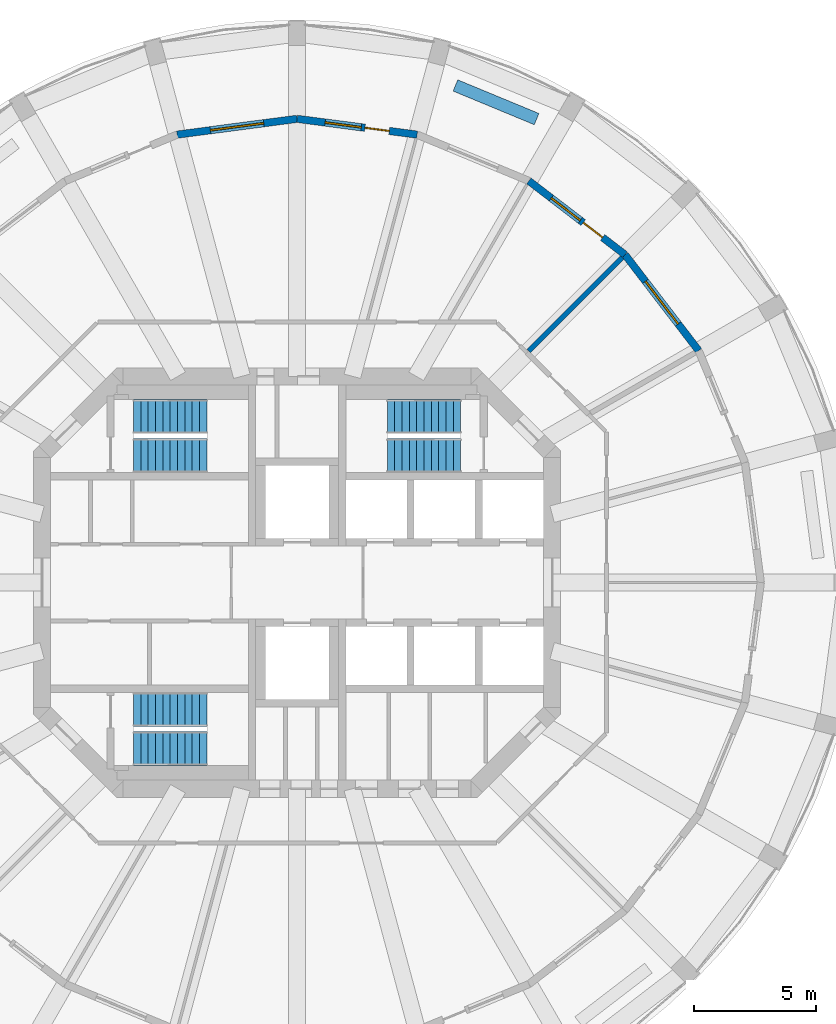
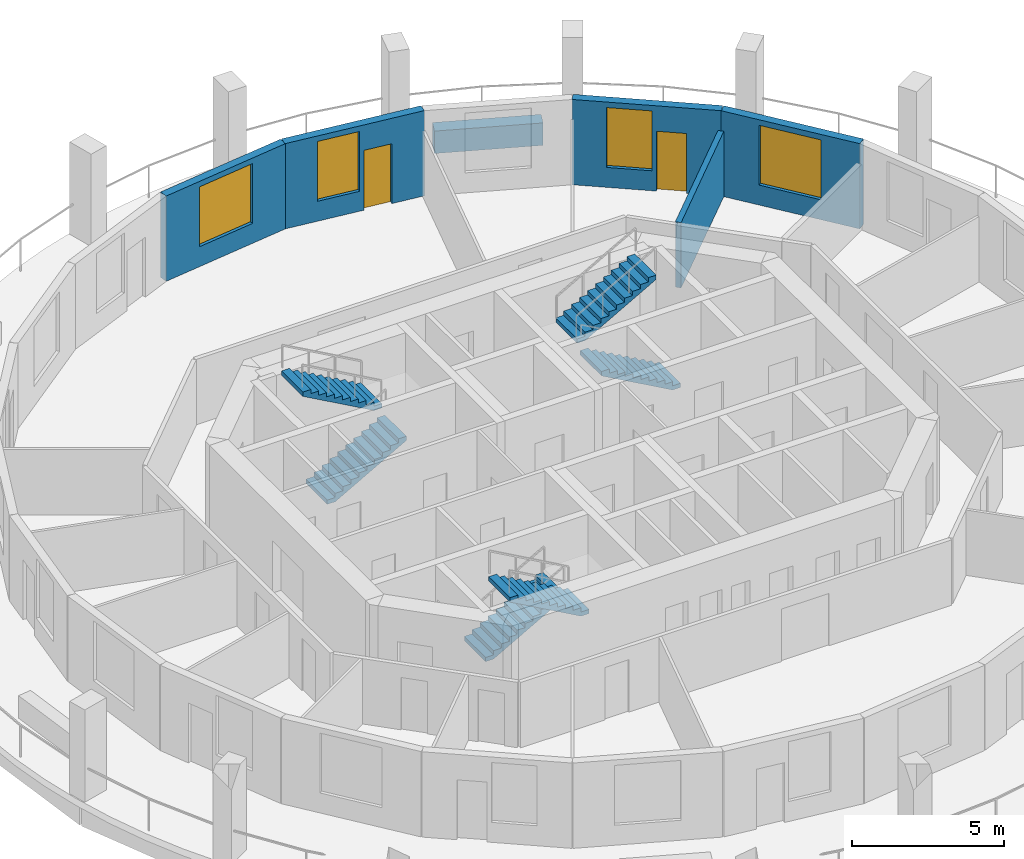
# One storey, part 7 of 9: 6 stair flights, 6 walls, 4 windows, 2 doors, 6 openings, 3 elements without a shape of their own.
"""IFC4 building model written with IfcOpenShell, lengths in metres."""

from ifc_helpers import new_model, si_unit, direction, frame, frame_2d, origin, place, context, subcontext, project, spatial, polyline, rectangle, outline, extrude, material, layer, layer_set, type_object, element, fill, aggregate, save


model = new_model("IFC4")

# Units and contexts
model_context = context("Model", 3, precision=1e-05, world=origin(), true_north=direction((0.0, 1.0)))
body_context = subcontext(model_context, "Body", "Model", "MODEL_VIEW")
ifc_project = project(units=[si_unit("LENGTHUNIT", "METRE"), si_unit("AREAUNIT", "SQUARE_METRE"), si_unit("VOLUMEUNIT", "CUBIC_METRE"), si_unit("PLANEANGLEUNIT", "RADIAN"), si_unit("MASSUNIT", "GRAM", prefix="KILO")], contexts=[model_context])

# Site, building, storey
site_placement = place(None, origin())
site = spatial("IfcSite", under=ifc_project, at=site_placement, CompositionType="ELEMENT")
building_placement = place(site_placement, origin())
building = spatial("IfcBuilding", under=site, at=building_placement, Name="Torre Triforio", CompositionType="ELEMENT")
storey_placement = place(building_placement, frame((0.0, 0.0, 169.0)))
storey = spatial("IfcBuildingStorey", under=building, at=storey_placement, Name="L38", CompositionType="ELEMENT", Elevation=169.0)

# Walls
ifc_material_1 = material(Name="Masonry block", Category="masonry")
ifc_layer_1 = layer(ifc_material_1, 0.199951171875)
ifc_layer_set_1 = layer_set([ifc_layer_1], Name="Masonry block")
wall_type_1 = type_object("IfcWallType", Name="Plant room wall 200 mm block EI 120", PredefinedType="PARTITIONING", material=ifc_layer_set_1)
wall_1_placement = place(storey_placement, frame((9.491455078125, 9.491455078125, 0.0), z_axis=(0.0, 0.0, 1.0), x_axis=(0.707106781187, 0.707106781187, 0.0)))
element("IfcWall", 1, at=wall_1_placement, inside=storey, type_object=wall_type_1, Name="Partition 14", PredefinedType="PARTITIONING", context=body_context, shape_type="SweptSolid", body=[
    extrude(rectangle(XDim=5.413818359375, YDim=0.199951171875, at=frame_2d((2.70703125, 0.0))), origin(), (0.0, 0.0, 1.0), 2.6201171875),
])
ifc_material_2 = material(Name="Limestone cladding", Category="masonry")
ifc_layer_2 = layer(ifc_material_2, 0.10009765625)
ifc_material_3 = material(Name="Concrete C40", Category="concrete")
ifc_layer_3 = layer(ifc_material_3, 0.39990234375)
ifc_layer_set_2 = layer_set([ifc_layer_2, ifc_layer_3], Name="Limestone cladding / Concrete C40")
wall_type_2 = type_object("IfcWallType", Name="Planter wall 500", PredefinedType="PARAPET", material=ifc_layer_set_2)
wall_2_placement = place(storey_placement, frame((9.814208984375, 18.98974609375, 0.0), z_axis=(0.0, 0.0, 1.0), x_axis=(-0.923875488976, 0.382693194178, 0.0)))
element("IfcWall", 2, at=wall_2_placement, inside=storey, type_object=wall_type_2, Name="Planter L38 bay 05", PredefinedType="PARAPET", context=body_context, shape_type="SweptSolid", body=[
    extrude(rectangle(XDim=3.599853515625, YDim=0.5, at=frame_2d((1.7998046875, 0.0))), origin(), (0.0, 0.0, 1.0), 0.89990234375),
])

# Wall, opening, window
ifc_layer_4 = layer(ifc_material_2, 0.10009765625)
ifc_layer_5 = layer(ifc_material_3, 0.199951171875)
ifc_layer_set_3 = layer_set([ifc_layer_4, ifc_layer_5], Name="Limestone cladding / Concrete C40")
wall_type_3 = type_object("IfcWallType", Name="Stone-faced composite wall 300", PredefinedType="STANDARD", material=ifc_layer_set_3)
wall_3_placement = place(storey_placement, frame((16.45458984375, 9.5, 0.0), z_axis=(0.0, 0.0, 1.0), x_axis=(-0.608768356425, 0.793348024649, 0.0)))
wall_3 = element("IfcWall", 3, at=wall_3_placement, inside=storey, type_object=wall_type_3, Name="External wall L38 bay 03", PredefinedType="STANDARD", context=body_context, shape_type="SweptSolid", body=[
    extrude(rectangle(XDim=4.9599609375, YDim=0.300048828125, at=frame_2d((2.47998046875, 0.0))), origin(), (0.0, 0.0, 1.0), 3.419921875),
])
opening_1_placement = place(wall_3_placement, frame((1.3798828125, 0.0, 0.800048828125)))
opening_1 = element("IfcOpeningElement", 4, at=opening_1_placement, cuts=wall_3, Name="Opening O2-W03", PredefinedType="OPENING", context=body_context, shape_type="SweptSolid", body=[
    extrude(rectangle(XDim=2.199951171875, YDim=2.39990234375, at=frame_2d((1.10009765625, 1.199951171875))), frame((0.0, 0.159912109375, 0.0), z_axis=(0.0, -1.0, 0.0), x_axis=(1.0, 0.0, 0.0)), (0.0, 0.0, 1.0), 0.320068359375),
])
ifc_material_4 = material(Name="Aluminium frame with clear double glazing", Category="aluminium")
window_type_1 = type_object("IfcWindowType", Name="Punched window 2200 x 2400", PartitioningType="DOUBLE_PANEL_VERTICAL", PredefinedType="WINDOW", material=ifc_material_4)
window_1_placement = place(opening_1_placement, origin())
window_1 = element("IfcWindow", 5, at=window_1_placement, inside=storey, type_object=window_type_1, Name="Window EWN5 L38 bay 03", OverallHeight=2.39990234375, OverallWidth=2.199951171875, PartitioningType="SINGLE_PANEL", PredefinedType="WINDOW", context=body_context, shape_type="SweptSolid", body=[
    extrude(rectangle(XDim=2.199951171875, YDim=2.39990234375, at=frame_2d((1.10009765625, 1.199951171875))), frame((0.0, 0.030029296875, 0.0), z_axis=(0.0, -1.0, 0.0), x_axis=(1.0, 0.0, 0.0)), (0.0, 0.0, 1.0), 0.06005859375),
])
fill(opening_1, window_1)

# Wall, openings, door, window
wall_4_placement = place(storey_placement, frame((13.43505859375, 13.43505859375, 0.0), z_axis=(0.0, 0.0, 1.0), x_axis=(-0.793348024649, 0.608768356425, 0.0)))
wall_4 = element("IfcWall", 6, at=wall_4_placement, inside=storey, type_object=wall_type_3, Name="External wall L38 bay 04", PredefinedType="STANDARD", context=body_context, shape_type="SweptSolid", body=[
    extrude(rectangle(XDim=4.9599609375, YDim=0.300048828125, at=frame_2d((2.47998046875, 0.0))), origin(), (0.0, 0.0, 1.0), 3.419921875),
])
opening_2_placement = place(wall_4_placement, frame((1.155029296875, 0.0, 0.0)))
opening_2 = element("IfcOpeningElement", 7, at=opening_2_placement, cuts=wall_4, Name="Opening O2-D04", PredefinedType="OPENING", context=body_context, shape_type="SweptSolid", body=[
    extrude(rectangle(XDim=1.0, YDim=2.39990234375, at=frame_2d((0.5, 1.199951171875))), frame((0.0, 0.159912109375, 0.0), z_axis=(0.0, -1.0, 0.0), x_axis=(1.0, 0.0, 0.0)), (0.0, 0.0, 1.0), 0.320068359375),
])
opening_3_placement = place(wall_4_placement, frame((2.304931640625, 0.0, 0.800048828125)))
opening_3 = element("IfcOpeningElement", 8, at=opening_3_placement, cuts=wall_4, Name="Opening O2-W04A", PredefinedType="OPENING", context=body_context, shape_type="SweptSolid", body=[
    extrude(rectangle(XDim=1.5, YDim=2.39990234375, at=frame_2d((0.75, 1.199951171875))), frame((0.0, 0.159912109375, 0.0), z_axis=(0.0, -1.0, 0.0), x_axis=(1.0, 0.0, 0.0)), (0.0, 0.0, 1.0), 0.320068359375),
])
door_type = type_object("IfcDoorType", Name="Loggia door 1000 x 2400", OperationType="NOTDEFINED", PredefinedType="DOOR", material=ifc_material_4)
door_1_placement = place(opening_2_placement, origin())
door_1 = element("IfcDoor", 9, at=door_1_placement, inside=storey, type_object=door_type, Name="Loggia door L38 bay 04", OperationType="SINGLE_SWING_LEFT", OverallHeight=2.39990234375, OverallWidth=1.0, PredefinedType="DOOR", context=body_context, shape_type="SweptSolid", body=[
    extrude(rectangle(XDim=1.0, YDim=2.39990234375, at=frame_2d((0.5, 1.199951171875))), frame((0.0, 0.02490234375, 0.0), z_axis=(0.0, -1.0, 0.0), x_axis=(1.0, 0.0, 0.0)), (0.0, 0.0, 1.0), 0.050048828125),
])
fill(opening_2, door_1)
window_type_2 = type_object("IfcWindowType", Name="Side window 1500 x 2400", PartitioningType="SINGLE_PANEL", PredefinedType="WINDOW", material=ifc_material_4)
window_2_placement = place(opening_3_placement, origin())
window_2 = element("IfcWindow", 10, at=window_2_placement, inside=storey, type_object=window_type_2, Name="Side window EWN14 L38 bay 04", OverallHeight=2.39990234375, OverallWidth=1.5, PartitioningType="SINGLE_PANEL", PredefinedType="WINDOW", context=body_context, shape_type="SweptSolid", body=[
    extrude(rectangle(XDim=1.5, YDim=2.39990234375, at=frame_2d((0.75, 1.199951171875))), frame((0.0, 0.030029296875, 0.0), z_axis=(0.0, -1.0, 0.0), x_axis=(1.0, 0.0, 0.0)), (0.0, 0.0, 1.0), 0.06005859375),
])
fill(opening_3, window_2)

wall_5_placement = place(storey_placement, frame((4.91748046875, 18.3525390625, 0.0), z_axis=(0.0, 0.0, 1.0), x_axis=(-0.991443234469, 0.130538549191, 0.0)))
wall_5 = element("IfcWall", 11, at=wall_5_placement, inside=storey, type_object=wall_type_3, Name="External wall L38 bay 06", PredefinedType="STANDARD", context=body_context, shape_type="SweptSolid", body=[
    extrude(rectangle(XDim=4.9599609375, YDim=0.300048828125, at=frame_2d((2.47998046875, 0.0))), origin(), (0.0, 0.0, 1.0), 3.419921875),
])
opening_4_placement = place(wall_5_placement, frame((1.155029296875, 0.0, 0.0)))
opening_4 = element("IfcOpeningElement", 12, at=opening_4_placement, cuts=wall_5, Name="Opening O2-D06", PredefinedType="OPENING", context=body_context, shape_type="SweptSolid", body=[
    extrude(rectangle(XDim=1.0, YDim=2.39990234375, at=frame_2d((0.5, 1.199951171875))), frame((0.0, 0.159912109375, 0.0), z_axis=(0.0, -1.0, 0.0), x_axis=(1.0, 0.0, 0.0)), (0.0, 0.0, 1.0), 0.320068359375),
])
opening_5_placement = place(wall_5_placement, frame((2.304931640625, 0.0, 0.800048828125)))
opening_5 = element("IfcOpeningElement", 13, at=opening_5_placement, cuts=wall_5, Name="Opening O2-W06A", PredefinedType="OPENING", context=body_context, shape_type="SweptSolid", body=[
    extrude(rectangle(XDim=1.5, YDim=2.39990234375, at=frame_2d((0.75, 1.199951171875))), frame((0.0, 0.159912109375, 0.0), z_axis=(0.0, -1.0, 0.0), x_axis=(1.0, 0.0, 0.0)), (0.0, 0.0, 1.0), 0.320068359375),
])
door_2_placement = place(opening_4_placement, origin())
door_2 = element("IfcDoor", 14, at=door_2_placement, inside=storey, type_object=door_type, Name="Loggia door L38 bay 06", OperationType="SINGLE_SWING_LEFT", OverallHeight=2.39990234375, OverallWidth=1.0, PredefinedType="DOOR", context=body_context, shape_type="SweptSolid", body=[
    extrude(rectangle(XDim=1.0, YDim=2.39990234375, at=frame_2d((0.5, 1.199951171875))), frame((0.0, 0.02490234375, 0.0), z_axis=(0.0, -1.0, 0.0), x_axis=(1.0, 0.0, 0.0)), (0.0, 0.0, 1.0), 0.050048828125),
])
fill(opening_4, door_2)
window_3_placement = place(opening_5_placement, origin())
window_3 = element("IfcWindow", 15, at=window_3_placement, inside=storey, type_object=window_type_2, Name="Side window EWN14 L38 bay 06", OverallHeight=2.39990234375, OverallWidth=1.5, PartitioningType="SINGLE_PANEL", PredefinedType="WINDOW", context=body_context, shape_type="SweptSolid", body=[
    extrude(rectangle(XDim=1.5, YDim=2.39990234375, at=frame_2d((0.75, 1.199951171875))), frame((0.0, 0.030029296875, 0.0), z_axis=(0.0, -1.0, 0.0), x_axis=(1.0, 0.0, 0.0)), (0.0, 0.0, 1.0), 0.06005859375),
])
fill(opening_5, window_3)

# Wall, opening, window
wall_6_placement = place(storey_placement, frame((0.0, 19.0, 0.0), z_axis=(0.0, 0.0, 1.0), x_axis=(-0.991443234469, -0.130538549191, 0.0)))
wall_6 = element("IfcWall", 16, at=wall_6_placement, inside=storey, type_object=wall_type_3, Name="External wall L38 bay 07", PredefinedType="STANDARD", context=body_context, shape_type="SweptSolid", body=[
    extrude(rectangle(XDim=4.9599609375, YDim=0.300048828125, at=frame_2d((2.47998046875, 0.0))), origin(), (0.0, 0.0, 1.0), 3.419921875),
])
opening_6_placement = place(wall_6_placement, frame((1.3798828125, 0.0, 0.800048828125)))
opening_6 = element("IfcOpeningElement", 17, at=opening_6_placement, cuts=wall_6, Name="Opening O2-W07", PredefinedType="OPENING", context=body_context, shape_type="SweptSolid", body=[
    extrude(rectangle(XDim=2.199951171875, YDim=2.39990234375, at=frame_2d((1.10009765625, 1.199951171875))), frame((0.0, 0.159912109375, 0.0), z_axis=(0.0, -1.0, 0.0), x_axis=(1.0, 0.0, 0.0)), (0.0, 0.0, 1.0), 0.320068359375),
])
window_4_placement = place(opening_6_placement, origin())
window_4 = element("IfcWindow", 18, at=window_4_placement, inside=storey, type_object=window_type_1, Name="Window EWN5 L38 bay 07", OverallHeight=2.39990234375, OverallWidth=2.199951171875, PartitioningType="SINGLE_PANEL", PredefinedType="WINDOW", context=body_context, shape_type="SweptSolid", body=[
    extrude(rectangle(XDim=2.199951171875, YDim=2.39990234375, at=frame_2d((1.10009765625, 1.199951171875))), frame((0.0, 0.030029296875, 0.0), z_axis=(0.0, -1.0, 0.0), x_axis=(1.0, 0.0, 0.0)), (0.0, 0.0, 1.0), 0.06005859375),
])
fill(opening_6, window_4)

# Stair, stair flights
stair_type = type_object("IfcStairType", Name="STAIR HALF-TURN", PredefinedType="HALF_TURN_STAIR", material=ifc_material_3)
stair_1_placement = place(storey_placement, origin())
stair_1 = element("IfcStair", 19, at=stair_1_placement, inside=storey, type_object=stair_type, Name="Exit stair 1", PredefinedType="HALF_TURN_STAIR")
stair_flight_type = type_object("IfcStairFlightType", Name="STAIR FLIGHT 1400", PredefinedType="STRAIGHT", material=ifc_material_3)
stair_flight_1_placement = place(storey_placement, frame((-6.699951171875, 5.199951171875, 0.0), z_axis=(0.0, 0.0, 1.0), x_axis=(1.0, 0.0, 0.0)))
stair_flight_1 = element("IfcStairFlight", 20, at=stair_flight_1_placement, type_object=stair_flight_type, Name="ST1 flight 1", NumberOfRisers=11, NumberOfTreads=10, PredefinedType="STRAIGHT", RiserHeight=0.168181818, TreadLength=0.3, context=body_context, shape_type="SweptSolid", body=[
    extrude(outline(polyline([(0.0, 0.0), (0.0, 0.168212890625), (0.300048828125, 0.168212890625), (0.300048828125, 0.33642578125), (0.60009765625, 0.33642578125), (0.60009765625, 0.504638671875), (0.89990234375, 0.504638671875), (0.89990234375, 0.672607421875), (1.199951171875, 0.672607421875), (1.199951171875, 0.8408203125), (1.5, 0.8408203125), (1.5, 1.009033203125), (1.800048828125, 1.009033203125), (1.800048828125, 1.17724609375), (2.10009765625, 1.17724609375), (2.10009765625, 1.345458984375), (2.39990234375, 1.345458984375), (2.39990234375, 1.513671875), (2.699951171875, 1.513671875), (2.699951171875, 1.681884765625), (3.0, 1.681884765625), (3.0, 1.85009765625), (3.0, 1.510009765625), (0.306640625, 0.0), (0.0, 0.0)])), frame((0.0, 0.699951171875, 0.0), z_axis=(0.0, -1.0, 0.0), x_axis=(1.0, 0.0, 0.0)), (0.0, 0.0, 1.0), 1.39990234375),
])
stair_flight_2_placement = place(storey_placement, frame((-3.699951171875, 6.800048828125, 1.85009765625), z_axis=(0.0, 0.0, 1.0), x_axis=(-1.0, 0.0, 0.0)))
stair_flight_2 = element("IfcStairFlight", 21, at=stair_flight_2_placement, type_object=stair_flight_type, Name="ST1 flight 2", NumberOfRisers=11, NumberOfTreads=10, PredefinedType="STRAIGHT", RiserHeight=0.168181818, TreadLength=0.3, context=body_context, shape_type="SweptSolid", body=[
    extrude(outline(polyline([(0.0, 0.0), (0.0, 0.168212890625), (0.300048828125, 0.168212890625), (0.300048828125, 0.33642578125), (0.60009765625, 0.33642578125), (0.60009765625, 0.504638671875), (0.89990234375, 0.504638671875), (0.89990234375, 0.672607421875), (1.199951171875, 0.672607421875), (1.199951171875, 0.8408203125), (1.5, 0.8408203125), (1.5, 1.009033203125), (1.800048828125, 1.009033203125), (1.800048828125, 1.17724609375), (2.10009765625, 1.17724609375), (2.10009765625, 1.345458984375), (2.39990234375, 1.345458984375), (2.39990234375, 1.513671875), (2.699951171875, 1.513671875), (2.699951171875, 1.681884765625), (3.0, 1.681884765625), (3.0, 1.85009765625), (3.0, 1.510009765625), (0.306640625, 0.0), (0.0, 0.0)])), frame((0.0, 0.699951171875, 0.0), z_axis=(0.0, -1.0, 0.0), x_axis=(1.0, 0.0, 0.0)), (0.0, 0.0, 1.0), 1.39990234375),
])
aggregate(stair_1, [stair_flight_1, stair_flight_2])

stair_2_placement = place(storey_placement, origin())
stair_2 = element("IfcStair", 22, at=stair_2_placement, inside=storey, type_object=stair_type, Name="Exit stair 2", PredefinedType="HALF_TURN_STAIR")
stair_flight_3_placement = place(storey_placement, frame((6.699951171875, 5.199951171875, 0.0), z_axis=(0.0, 0.0, 1.0), x_axis=(-1.0, 0.0, 0.0)))
stair_flight_3 = element("IfcStairFlight", 23, at=stair_flight_3_placement, type_object=stair_flight_type, Name="ST2 flight 1", NumberOfRisers=11, NumberOfTreads=10, PredefinedType="STRAIGHT", RiserHeight=0.168181818, TreadLength=0.3, context=body_context, shape_type="SweptSolid", body=[
    extrude(outline(polyline([(0.0, 0.0), (0.0, 0.168212890625), (0.300048828125, 0.168212890625), (0.300048828125, 0.33642578125), (0.60009765625, 0.33642578125), (0.60009765625, 0.504638671875), (0.89990234375, 0.504638671875), (0.89990234375, 0.672607421875), (1.199951171875, 0.672607421875), (1.199951171875, 0.8408203125), (1.5, 0.8408203125), (1.5, 1.009033203125), (1.800048828125, 1.009033203125), (1.800048828125, 1.17724609375), (2.10009765625, 1.17724609375), (2.10009765625, 1.345458984375), (2.39990234375, 1.345458984375), (2.39990234375, 1.513671875), (2.699951171875, 1.513671875), (2.699951171875, 1.681884765625), (3.0, 1.681884765625), (3.0, 1.85009765625), (3.0, 1.510009765625), (0.306640625, 0.0), (0.0, 0.0)])), frame((0.0, 0.699951171875, 0.0), z_axis=(0.0, -1.0, 0.0), x_axis=(1.0, 0.0, 0.0)), (0.0, 0.0, 1.0), 1.39990234375),
])
stair_flight_4_placement = place(storey_placement, frame((3.699951171875, 6.800048828125, 1.85009765625), z_axis=(0.0, 0.0, 1.0), x_axis=(1.0, 0.0, 0.0)))
stair_flight_4 = element("IfcStairFlight", 24, at=stair_flight_4_placement, type_object=stair_flight_type, Name="ST2 flight 2", NumberOfRisers=11, NumberOfTreads=10, PredefinedType="STRAIGHT", RiserHeight=0.168181818, TreadLength=0.3, context=body_context, shape_type="SweptSolid", body=[
    extrude(outline(polyline([(0.0, 0.0), (0.0, 0.168212890625), (0.300048828125, 0.168212890625), (0.300048828125, 0.33642578125), (0.60009765625, 0.33642578125), (0.60009765625, 0.504638671875), (0.89990234375, 0.504638671875), (0.89990234375, 0.672607421875), (1.199951171875, 0.672607421875), (1.199951171875, 0.8408203125), (1.5, 0.8408203125), (1.5, 1.009033203125), (1.800048828125, 1.009033203125), (1.800048828125, 1.17724609375), (2.10009765625, 1.17724609375), (2.10009765625, 1.345458984375), (2.39990234375, 1.345458984375), (2.39990234375, 1.513671875), (2.699951171875, 1.513671875), (2.699951171875, 1.681884765625), (3.0, 1.681884765625), (3.0, 1.85009765625), (3.0, 1.510009765625), (0.306640625, 0.0), (0.0, 0.0)])), frame((0.0, 0.699951171875, 0.0), z_axis=(0.0, -1.0, 0.0), x_axis=(1.0, 0.0, 0.0)), (0.0, 0.0, 1.0), 1.39990234375),
])
aggregate(stair_2, [stair_flight_3, stair_flight_4])

stair_3_placement = place(storey_placement, origin())
stair_3 = element("IfcStair", 25, at=stair_3_placement, inside=storey, type_object=stair_type, Name="Exit stair 3", PredefinedType="HALF_TURN_STAIR")
stair_flight_5_placement = place(storey_placement, frame((-6.699951171875, -5.199951171875, 0.0), z_axis=(0.0, 0.0, 1.0), x_axis=(1.0, 0.0, 0.0)))
stair_flight_5 = element("IfcStairFlight", 26, at=stair_flight_5_placement, type_object=stair_flight_type, Name="ST3 flight 1", NumberOfRisers=11, NumberOfTreads=10, PredefinedType="STRAIGHT", RiserHeight=0.168181818, TreadLength=0.3, context=body_context, shape_type="SweptSolid", body=[
    extrude(outline(polyline([(0.0, 0.0), (0.0, 0.168212890625), (0.300048828125, 0.168212890625), (0.300048828125, 0.33642578125), (0.60009765625, 0.33642578125), (0.60009765625, 0.504638671875), (0.89990234375, 0.504638671875), (0.89990234375, 0.672607421875), (1.199951171875, 0.672607421875), (1.199951171875, 0.8408203125), (1.5, 0.8408203125), (1.5, 1.009033203125), (1.800048828125, 1.009033203125), (1.800048828125, 1.17724609375), (2.10009765625, 1.17724609375), (2.10009765625, 1.345458984375), (2.39990234375, 1.345458984375), (2.39990234375, 1.513671875), (2.699951171875, 1.513671875), (2.699951171875, 1.681884765625), (3.0, 1.681884765625), (3.0, 1.85009765625), (3.0, 1.510009765625), (0.306640625, 0.0), (0.0, 0.0)])), frame((0.0, 0.699951171875, 0.0), z_axis=(0.0, -1.0, 0.0), x_axis=(1.0, 0.0, 0.0)), (0.0, 0.0, 1.0), 1.39990234375),
])
stair_flight_6_placement = place(storey_placement, frame((-3.699951171875, -6.800048828125, 1.85009765625), z_axis=(0.0, 0.0, 1.0), x_axis=(-1.0, 0.0, 0.0)))
stair_flight_6 = element("IfcStairFlight", 27, at=stair_flight_6_placement, type_object=stair_flight_type, Name="ST3 flight 2", NumberOfRisers=11, NumberOfTreads=10, PredefinedType="STRAIGHT", RiserHeight=0.168181818, TreadLength=0.3, context=body_context, shape_type="SweptSolid", body=[
    extrude(outline(polyline([(0.0, 0.0), (0.0, 0.168212890625), (0.300048828125, 0.168212890625), (0.300048828125, 0.33642578125), (0.60009765625, 0.33642578125), (0.60009765625, 0.504638671875), (0.89990234375, 0.504638671875), (0.89990234375, 0.672607421875), (1.199951171875, 0.672607421875), (1.199951171875, 0.8408203125), (1.5, 0.8408203125), (1.5, 1.009033203125), (1.800048828125, 1.009033203125), (1.800048828125, 1.17724609375), (2.10009765625, 1.17724609375), (2.10009765625, 1.345458984375), (2.39990234375, 1.345458984375), (2.39990234375, 1.513671875), (2.699951171875, 1.513671875), (2.699951171875, 1.681884765625), (3.0, 1.681884765625), (3.0, 1.85009765625), (3.0, 1.510009765625), (0.306640625, 0.0), (0.0, 0.0)])), frame((0.0, 0.699951171875, 0.0), z_axis=(0.0, -1.0, 0.0), x_axis=(1.0, 0.0, 0.0)), (0.0, 0.0, 1.0), 1.39990234375),
])
aggregate(stair_3, [stair_flight_5, stair_flight_6])

save(model, "model.ifc")
